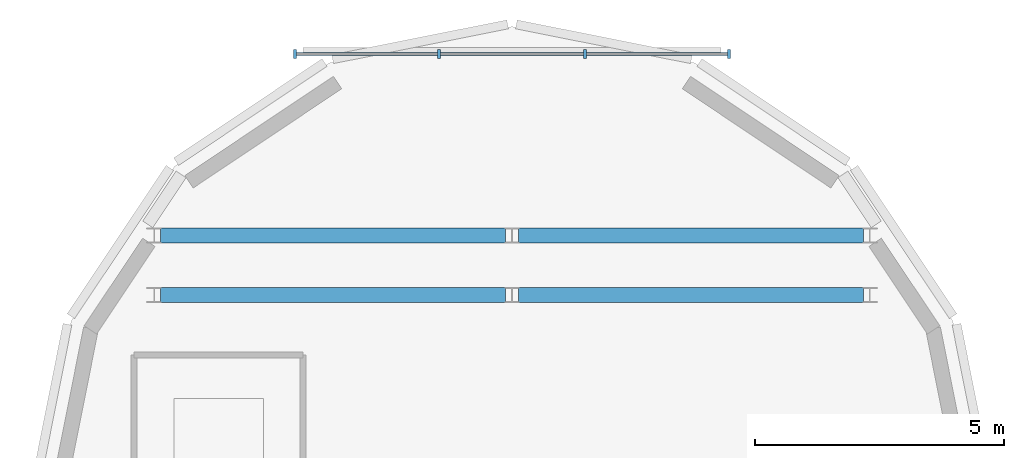
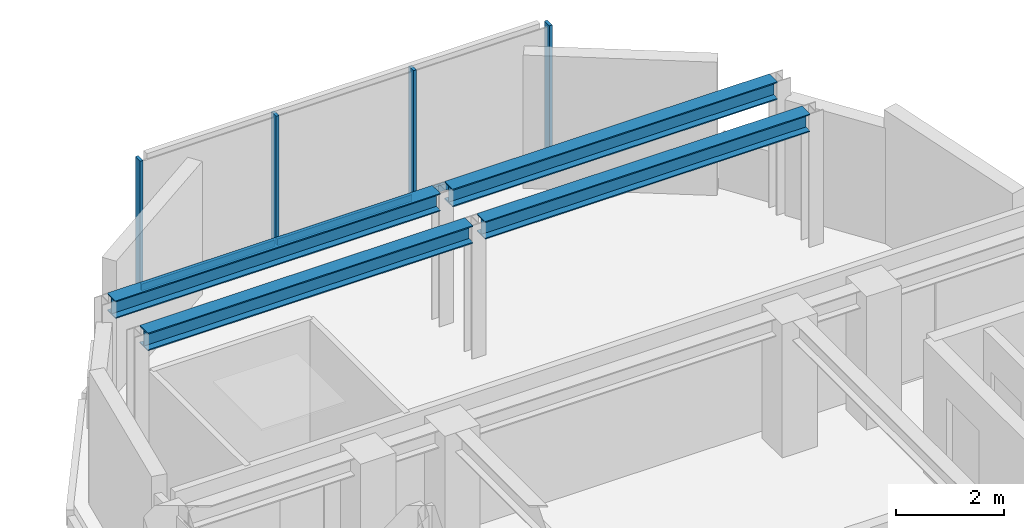
# One storey, part 5 of 11: 7 members, 4 beams, 1 element without a shape of its own.
"""IFC4 building model written with IfcOpenShell, lengths in metres."""

from ifc_helpers import new_model, si_unit, direction, frame, origin, origin_2d, place, context, subcontext, project, spatial, rectangle, i_section, extrude, source, transform, mapped, material, material_profile, profile_set, type_object, element, aggregate, save


model = new_model("IFC4")

# Units and contexts
model_context = context("Model", 3, precision=1e-05, world=origin(), true_north=direction((0.0, 1.0)))
body_context = subcontext(model_context, "Body", "Model", "MODEL_VIEW")
ifc_project = project(units=[si_unit("LENGTHUNIT", "METRE"), si_unit("AREAUNIT", "SQUARE_METRE"), si_unit("VOLUMEUNIT", "CUBIC_METRE"), si_unit("PLANEANGLEUNIT", "RADIAN"), si_unit("MASSUNIT", "GRAM", prefix="KILO")], contexts=[model_context])

# Site, building, storey
site_placement = place(None, origin())
site = spatial("IfcSite", under=ifc_project, at=site_placement, CompositionType="ELEMENT")
building_placement = place(site_placement, origin())
building = spatial("IfcBuilding", under=site, at=building_placement, Name="Keilestroom Media Tower", CompositionType="ELEMENT")
storey_placement = place(building_placement, frame((0.0, 0.0, 265.199951171875)))
storey = spatial("IfcBuildingStorey", under=building, at=storey_placement, Name="L74", CompositionType="ELEMENT", Elevation=265.199951171875)

# Beams
ifc_material_1 = material(Name="Steel S355", Category="steel")
ifc_material_profile_1 = material_profile(ifc_material_1, i_section(OverallWidth=0.300048828125, OverallDepth=0.39990234375, WebThickness=0.011474609375, FlangeThickness=0.02392578125, at=origin_2d()), Name="HEB 400")
ifc_profile_set_1 = profile_set([ifc_material_profile_1], Name="Steel S355")
beam_type = type_object("IfcBeamType", Name="Primary-Structural-Girder-HEB-400", PredefinedType="BEAM", material=ifc_profile_set_1)
shared_shape_1 = source(origin(), body_context, "Body", "SweptSolid", [
    extrude(i_section(OverallWidth=0.300048828125, OverallDepth=0.39990234375, WebThickness=0.011474609375, FlangeThickness=0.02392578125, at=origin_2d()), origin(), (0.0, 0.0, 1.0), 6.940185546875),
])
for number, where, z_axis, x_axis, name in (
    (1, (-7.070068359375, 14.39990234375, 2.81005859375), (1.0, 0.0, 0.0), (0.0, 1.0, 0.0), "L74 Beam BG-8 BM-L74-EW-013"),
    (2, (0.1298828125, 14.39990234375, 2.81005859375), (1.0, 0.0, 0.0), (0.0, 1.0, 0.0), "L74 Beam BG-8 BM-L74-EW-014"),
    (3, (-7.070068359375, 15.60009765625, 2.81005859375), (1.0, 0.0, 0.0), (0.0, 1.0, 0.0), "L74 Beam BG-8 BM-L74-EW-015"),
    (4, (0.1298828125, 15.60009765625, 2.81005859375), (1.0, 0.0, 0.0), (0.0, 1.0, 0.0), "L74 Beam BG-8 BM-L74-EW-016"),
):
    element("IfcBeam", number, at=place(storey_placement, frame(where, z_axis=z_axis, x_axis=x_axis)), inside=storey, type_object=beam_type, Name=name, PredefinedType="BEAM", context=body_context, shape_type="MappedRepresentation", body=[
        mapped(shared_shape_1, transform((0.0, 0.0, 0.0), x_axis=(1.0, 0.0, 0.0), y_axis=(0.0, 1.0, 0.0), z_axis=(0.0, 0.0, 1.0), scale=1.0)),
    ])

# Curtain wall, members
ifc_material_2 = material(Name="Anodised Aluminium Alloy", Category="aluminium")
curtain_wall_type = type_object("IfcCurtainWallType", Name="Unitised-Curtain-Wall-CW-6", PredefinedType="NOTDEFINED", material=ifc_material_2)
curtain_wall_placement = place(storey_placement, origin())
curtain_wall = element("IfcCurtainWall", 5, at=curtain_wall_placement, inside=storey, type_object=curtain_wall_type, Name="L74 Curtain Wall CW-6 CW-L74-LN-1", PredefinedType="NOTDEFINED")
ifc_material_profile_2 = material_profile(ifc_material_2, rectangle(XDim=0.06494140625, YDim=0.179931640625, at=origin_2d()), Name="ALU MULLION 65x180")
ifc_profile_set_2 = profile_set([ifc_material_profile_2], Name="Anodised Aluminium Alloy")
member_type_1 = type_object("IfcMemberType", Name="Curtain-Wall-Mullion-CW-6", PredefinedType="MULLION", material=ifc_profile_set_2)
shared_shape_2 = source(origin(), body_context, "Body", "SweptSolid", [
    extrude(rectangle(XDim=0.06494140625, YDim=0.179931640625, at=origin_2d()), origin(), (0.0, 0.0, 1.0), 2.97998046875),
])
member_1_placement = place(storey_placement, frame((-4.367431640625, 19.25, 0.0), z_axis=(0.0, 0.0, 1.0), x_axis=(1.0, 0.0, 0.0)))
member_1 = element("IfcMember", 6, at=member_1_placement, type_object=member_type_1, Name="CW-6 Mullion 00", PredefinedType="MULLION", context=body_context, shape_type="MappedRepresentation", body=[
    mapped(shared_shape_2, transform((0.0, 0.0, 0.0), x_axis=(1.0, 0.0, 0.0), y_axis=(0.0, 1.0, 0.0), z_axis=(0.0, 0.0, 1.0), scale=1.0)),
])
member_2_placement = place(storey_placement, frame((-1.466796875, 19.25, 0.0), z_axis=(0.0, 0.0, 1.0), x_axis=(1.0, 0.0, 0.0)))
member_2 = element("IfcMember", 7, at=member_2_placement, type_object=member_type_1, Name="CW-6 Mullion 01", PredefinedType="MULLION", context=body_context, shape_type="MappedRepresentation", body=[
    mapped(shared_shape_2, transform((0.0, 0.0, 0.0), x_axis=(1.0, 0.0, 0.0), y_axis=(0.0, 1.0, 0.0), z_axis=(0.0, 0.0, 1.0), scale=1.0)),
])
member_3_placement = place(storey_placement, frame((1.466796875, 19.25, 0.0), z_axis=(0.0, 0.0, 1.0), x_axis=(1.0, 0.0, 0.0)))
member_3 = element("IfcMember", 8, at=member_3_placement, type_object=member_type_1, Name="CW-6 Mullion 02", PredefinedType="MULLION", context=body_context, shape_type="MappedRepresentation", body=[
    mapped(shared_shape_2, transform((0.0, 0.0, 0.0), x_axis=(1.0, 0.0, 0.0), y_axis=(0.0, 1.0, 0.0), z_axis=(0.0, 0.0, 1.0), scale=1.0)),
])
member_4_placement = place(storey_placement, frame((4.367431640625, 19.25, 0.0), z_axis=(0.0, 0.0, 1.0), x_axis=(1.0, 0.0, 0.0)))
member_4 = element("IfcMember", 9, at=member_4_placement, type_object=member_type_1, Name="CW-6 Mullion 03", PredefinedType="MULLION", context=body_context, shape_type="MappedRepresentation", body=[
    mapped(shared_shape_2, transform((0.0, 0.0, 0.0), x_axis=(1.0, 0.0, 0.0), y_axis=(0.0, 1.0, 0.0), z_axis=(0.0, 0.0, 1.0), scale=1.0)),
])
ifc_material_profile_3 = material_profile(ifc_material_2, rectangle(XDim=0.06494140625, YDim=0.14990234375, at=origin_2d()), Name="ALU TRANSOM 65x150")
ifc_profile_set_3 = profile_set([ifc_material_profile_3], Name="Anodised Aluminium Alloy")
member_type_2 = type_object("IfcMemberType", Name="Curtain-Wall-Transom-CW-6", PredefinedType="USERDEFINED", material=ifc_profile_set_3)
shared_shape_3 = source(origin(), body_context, "Body", "SweptSolid", [
    extrude(rectangle(XDim=0.06494140625, YDim=0.14990234375, at=origin_2d()), origin(), (0.0, 0.0, 1.0), 2.839599609375),
])
member_5_placement = place(storey_placement, frame((-4.3369140625, 19.25, 0.074951171875), z_axis=(1.0, 0.0, 0.0), x_axis=(0.0, 1.0, 0.0)))
member_5 = element("IfcMember", 10, at=member_5_placement, type_object=member_type_2, Name="CW-6 Transom 00.1", ObjectType="TRANSOM", PredefinedType="USERDEFINED", context=body_context, shape_type="MappedRepresentation", body=[
    mapped(shared_shape_3, transform((0.0, 0.0, 0.0), x_axis=(1.0, 0.0, 0.0), y_axis=(0.0, 1.0, 0.0), z_axis=(0.0, 0.0, 1.0), scale=1.0)),
])
member_6_placement = place(storey_placement, frame((1.497314453125, 19.25, 0.074951171875), z_axis=(1.0, 0.0, 0.0), x_axis=(0.0, 1.0, 0.0)))
member_6 = element("IfcMember", 11, at=member_6_placement, type_object=member_type_2, Name="CW-6 Transom 02.1", ObjectType="TRANSOM", PredefinedType="USERDEFINED", context=body_context, shape_type="MappedRepresentation", body=[
    mapped(shared_shape_3, transform((0.0, 0.0, 0.0), x_axis=(1.0, 0.0, 0.0), y_axis=(0.0, 1.0, 0.0), z_axis=(0.0, 0.0, 1.0), scale=1.0)),
])
shared_shape_4 = source(origin(), body_context, "Body", "SweptSolid", [
    extrude(rectangle(XDim=0.06494140625, YDim=0.14990234375, at=origin_2d()), origin(), (0.0, 0.0, 1.0), 2.87255859375),
])
member_7_placement = place(storey_placement, frame((-1.436279296875, 19.25, 0.074951171875), z_axis=(1.0, 0.0, 0.0), x_axis=(0.0, 1.0, 0.0)))
member_7 = element("IfcMember", 12, at=member_7_placement, type_object=member_type_2, Name="CW-6 Transom 01.1", ObjectType="TRANSOM", PredefinedType="USERDEFINED", context=body_context, shape_type="MappedRepresentation", body=[
    mapped(shared_shape_4, transform((0.0, 0.0, 0.0), x_axis=(1.0, 0.0, 0.0), y_axis=(0.0, 1.0, 0.0), z_axis=(0.0, 0.0, 1.0), scale=1.0)),
])
aggregate(curtain_wall, [member_1, member_2, member_3, member_4, member_5, member_7, member_6])

save(model, "model.ifc")
